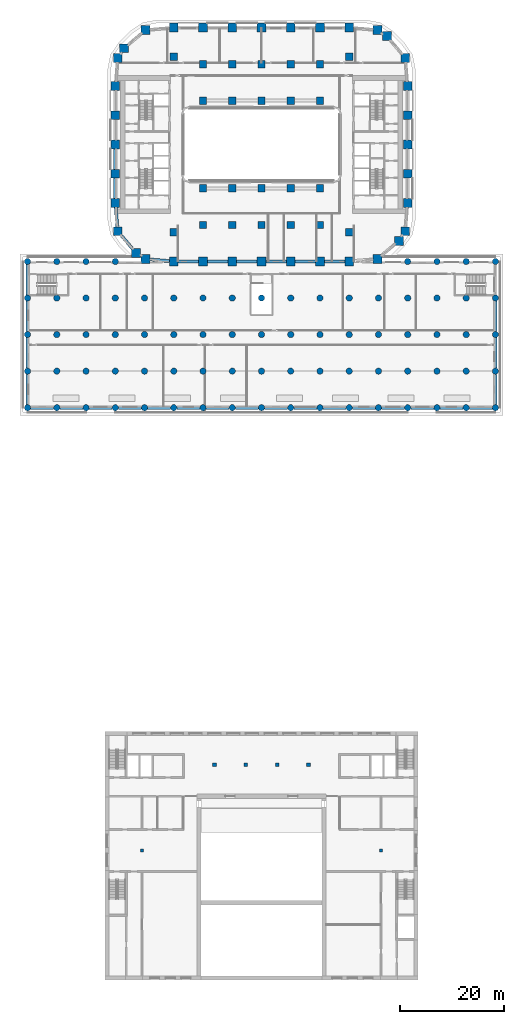
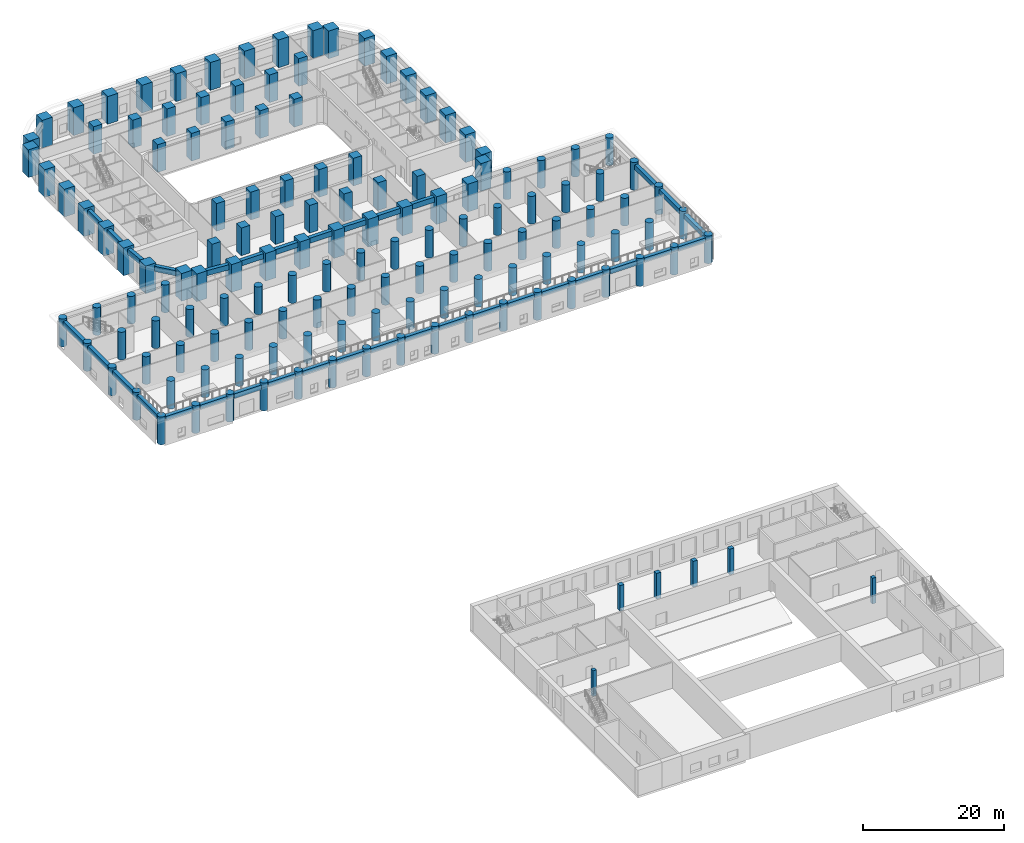
# One storey, part 1 of 24: 142 columns, 34 beams.
"""IFC4 building model written with IfcOpenShell, lengths in metres."""

from ifc_helpers import new_model, si_unit, direction, frame, origin, origin_2d, place, context, subcontext, project, spatial, rectangle, circle, extrude, material, material_profile, profile_set, type_object, element, save


model = new_model("IFC4")

# Units and contexts
model_context = context("Model", 3, precision=1e-05, world=origin(), true_north=direction((0.0, 1.0)))
body_context = subcontext(model_context, "Body", "Model", "MODEL_VIEW")
ifc_project = project(units=[si_unit("LENGTHUNIT", "METRE"), si_unit("AREAUNIT", "SQUARE_METRE"), si_unit("VOLUMEUNIT", "CUBIC_METRE"), si_unit("PLANEANGLEUNIT", "RADIAN"), si_unit("MASSUNIT", "GRAM", prefix="KILO")], contexts=[model_context])

# Site, building, storey
site_placement = place(None, origin())
site = spatial("IfcSite", under=ifc_project, at=site_placement, CompositionType="ELEMENT")
building_placement = place(site_placement, origin())
building = spatial("IfcBuilding", under=site, at=building_placement, Name="Kiln Ring Residences", CompositionType="ELEMENT")
storey_placement = place(building_placement, frame((0.0, 0.0, 11.300048828125)))
storey = spatial("IfcBuildingStorey", under=building, at=storey_placement, Name="L02", CompositionType="ELEMENT", Elevation=11.300048828125)

# Columns
ifc_material_1 = material(Name="Concrete C80/95", Category="concrete")
ifc_material_profile_1 = material_profile(ifc_material_1, rectangle(XDim=1.39990234375, YDim=1.39990234375, at=origin_2d()), Name="RC1400x1400")
ifc_profile_set_1 = profile_set([ifc_material_profile_1], Name="Concrete C80/95")
column_type_1 = type_object("IfcColumnType", Name="Corridor column RC1400x1400 C80/95", PredefinedType="COLUMN", material=ifc_profile_set_1)
for number, where, z_axis, x_axis, name in (
    (1, (-11.199951171875, 15.39990234375, 0.0), (0.0, 0.0, 1.0), (1.0, 0.0, 0.0), "Corridor column L02 1"),
    (2, (-5.60009765625, 15.39990234375, 0.0), (0.0, 0.0, 1.0), (1.0, 0.0, 0.0), "Corridor column L02 2"),
    (3, (0.0, 15.39990234375, 0.0), (0.0, 0.0, 1.0), (1.0, 0.0, 0.0), "Corridor column L02 3"),
    (4, (5.60009765625, 15.39990234375, 0.0), (0.0, 0.0, 1.0), (1.0, 0.0, 0.0), "Corridor column L02 4"),
    (5, (11.199951171875, 15.39990234375, 0.0), (0.0, 0.0, 1.0), (1.0, 0.0, 0.0), "Corridor column L02 5"),
    (6, (-11.199951171875, -15.39990234375, 0.0), (0.0, 0.0, 1.0), (1.0, 0.0, 0.0), "Corridor column L02 6"),
    (7, (-5.60009765625, -15.39990234375, 0.0), (0.0, 0.0, 1.0), (1.0, 0.0, 0.0), "Corridor column L02 7"),
    (8, (0.0, -15.39990234375, 0.0), (0.0, 0.0, 1.0), (1.0, 0.0, 0.0), "Corridor column L02 8"),
    (9, (5.60009765625, -15.39990234375, 0.0), (0.0, 0.0, 1.0), (1.0, 0.0, 0.0), "Corridor column L02 9"),
    (10, (11.199951171875, -15.39990234375, 0.0), (0.0, 0.0, 1.0), (1.0, 0.0, 0.0), "Corridor column L02 10"),
):
    element("IfcColumn", number, at=place(storey_placement, frame(where, z_axis=z_axis, x_axis=x_axis)), inside=storey, type_object=column_type_1, Name=name, PredefinedType="COLUMN", context=body_context, shape_type="SweptSolid", body=[
        extrude(rectangle(XDim=1.39990234375, YDim=1.39990234375, at=origin_2d()), origin(), (0.0, 0.0, 1.0), 4.800048828125),
    ])
ifc_material_2 = material(Name="Concrete C40/50", Category="concrete")
ifc_material_profile_2 = material_profile(ifc_material_2, rectangle(XDim=0.60009765625, YDim=0.60009765625, at=origin_2d()), Name="Hall reinforced concrete column 600 x 600")
ifc_profile_set_2 = profile_set([ifc_material_profile_2], Name="Concrete C40/50")
column_type_2 = type_object("IfcColumnType", Name="Hall reinforced concrete column 600 x 600", PredefinedType="COLUMN", material=ifc_profile_set_2)
for number, where, z_axis, x_axis, name in (
    (11, (-22.89990234375, -135.199951171875, 0.0), (0.0, 0.0, 1.0), (1.0, 0.0, 0.0), "Hall column L02 5"),
    (12, (22.89990234375, -135.199951171875, 0.0), (0.0, 0.0, 1.0), (1.0, 0.0, 0.0), "Hall column L02 6"),
):
    element("IfcColumn", number, at=place(storey_placement, frame(where, z_axis=z_axis, x_axis=x_axis)), inside=storey, type_object=column_type_2, Name=name, PredefinedType="COLUMN", context=body_context, shape_type="SweptSolid", body=[
        extrude(rectangle(XDim=0.60009765625, YDim=0.60009765625, at=origin_2d()), origin(), (0.0, 0.0, 1.0), 4.449951171875),
    ])
ifc_material_3 = material(Name="Concrete C40/50", Category="concrete")
ifc_material_profile_3 = material_profile(ifc_material_3, rectangle(XDim=0.699951171875, YDim=0.699951171875, at=origin_2d()), Name="Hall reinforced concrete column 700 x 700")
ifc_profile_set_3 = profile_set([ifc_material_profile_3], Name="Concrete C40/50")
column_type_3 = type_object("IfcColumnType", Name="Hall reinforced concrete column 700 x 700", PredefinedType="COLUMN", material=ifc_profile_set_3)
for number, where, z_axis, x_axis, name in (
    (13, (-9.0, -118.800048828125, 0.0), (0.0, 0.0, 1.0), (1.0, 0.0, 0.0), "Hall column L02 1"),
    (14, (-3.0, -118.800048828125, 0.0), (0.0, 0.0, 1.0), (1.0, 0.0, 0.0), "Hall column L02 2"),
    (15, (3.0, -118.800048828125, 0.0), (0.0, 0.0, 1.0), (1.0, 0.0, 0.0), "Hall column L02 3"),
    (16, (9.0, -118.800048828125, 0.0), (0.0, 0.0, 1.0), (1.0, 0.0, 0.0), "Hall column L02 4"),
):
    element("IfcColumn", number, at=place(storey_placement, frame(where, z_axis=z_axis, x_axis=x_axis)), inside=storey, type_object=column_type_3, Name=name, PredefinedType="COLUMN", context=body_context, shape_type="SweptSolid", body=[
        extrude(rectangle(XDim=0.699951171875, YDim=0.699951171875, at=origin_2d()), origin(), (0.0, 0.0, 1.0), 4.449951171875),
    ])
ifc_material_4 = material(Name="Concrete C80/95", Category="concrete")
ifc_material_profile_4 = material_profile(ifc_material_4, rectangle(XDim=1.699951171875, YDim=1.699951171875, at=origin_2d()), Name="RC1700x1700")
ifc_profile_set_4 = profile_set([ifc_material_profile_4], Name="Concrete C80/95")
column_type_4 = type_object("IfcColumnType", Name="Perimeter column RC1700x1700 C80/95", PredefinedType="COLUMN", material=ifc_profile_set_4)
for number, where, z_axis, x_axis, name in (
    (17, (-22.208740234375, -21.93798828125, 0.0), (0.0, 0.0, 1.0), (1.0, 0.0, 0.0), "Perimeter column L02 1"),
    (18, (-16.800048828125, -22.39990234375, 0.0), (0.0, 0.0, 1.0), (1.0, 0.0, 0.0), "Perimeter column L02 2"),
    (19, (-11.199951171875, -22.39990234375, 0.0), (0.0, 0.0, 1.0), (1.0, 0.0, 0.0), "Perimeter column L02 3"),
    (20, (-5.60009765625, -22.39990234375, 0.0), (0.0, 0.0, 1.0), (1.0, 0.0, 0.0), "Perimeter column L02 4"),
    (21, (0.0, -22.39990234375, 0.0), (0.0, 0.0, 1.0), (1.0, 0.0, 0.0), "Perimeter column L02 5"),
    (22, (5.60009765625, -22.39990234375, 0.0), (0.0, 0.0, 1.0), (1.0, 0.0, 0.0), "Perimeter column L02 6"),
    (23, (11.199951171875, -22.39990234375, 0.0), (0.0, 0.0, 1.0), (1.0, 0.0, 0.0), "Perimeter column L02 7"),
    (24, (16.800048828125, -22.39990234375, 0.0), (0.0, 0.0, 1.0), (1.0, 0.0, 0.0), "Perimeter column L02 8"),
    (25, (22.208740234375, -21.93798828125, 0.0), (0.0, 0.0, 1.0), (1.0, 0.0, 0.0), "Perimeter column L02 9"),
    (26, (26.35986328125, -18.440185546875, 0.0), (0.0, 0.0, 1.0), (1.0, 0.0, 0.0), "Perimeter column L02 10"),
    (27, (27.5380859375, -16.608642578125, 0.0), (0.0, 0.0, 1.0), (1.0, 0.0, 0.0), "Perimeter column L02 11"),
    (28, (28.0, -11.199951171875, 0.0), (0.0, 0.0, 1.0), (1.0, 0.0, 0.0), "Perimeter column L02 12"),
    (29, (28.0, -5.60009765625, 0.0), (0.0, 0.0, 1.0), (1.0, 0.0, 0.0), "Perimeter column L02 13"),
    (30, (28.0, 0.0, 0.0), (0.0, 0.0, 1.0), (1.0, 0.0, 0.0), "Perimeter column L02 14"),
    (31, (28.0, 5.60009765625, 0.0), (0.0, 0.0, 1.0), (1.0, 0.0, 0.0), "Perimeter column L02 15"),
    (32, (28.0, 11.199951171875, 0.0), (0.0, 0.0, 1.0), (1.0, 0.0, 0.0), "Perimeter column L02 16"),
    (33, (27.5380859375, 16.608642578125, 0.0), (0.0, 0.0, 1.0), (1.0, 0.0, 0.0), "Perimeter column L02 17"),
    (34, (24.040283203125, 20.759765625, 0.0), (0.0, 0.0, 1.0), (1.0, 0.0, 0.0), "Perimeter column L02 18"),
    (35, (22.208740234375, 21.93798828125, 0.0), (0.0, 0.0, 1.0), (1.0, 0.0, 0.0), "Perimeter column L02 19"),
    (36, (16.800048828125, 22.39990234375, 0.0), (0.0, 0.0, 1.0), (1.0, 0.0, 0.0), "Perimeter column L02 20"),
    (37, (11.199951171875, 22.39990234375, 0.0), (0.0, 0.0, 1.0), (1.0, 0.0, 0.0), "Perimeter column L02 21"),
    (38, (5.60009765625, 22.39990234375, 0.0), (0.0, 0.0, 1.0), (1.0, 0.0, 0.0), "Perimeter column L02 22"),
    (39, (0.0, 22.39990234375, 0.0), (0.0, 0.0, 1.0), (1.0, 0.0, 0.0), "Perimeter column L02 23"),
    (40, (-5.60009765625, 22.39990234375, 0.0), (0.0, 0.0, 1.0), (1.0, 0.0, 0.0), "Perimeter column L02 24"),
    (41, (-11.199951171875, 22.39990234375, 0.0), (0.0, 0.0, 1.0), (1.0, 0.0, 0.0), "Perimeter column L02 25"),
    (42, (-16.800048828125, 22.39990234375, 0.0), (0.0, 0.0, 1.0), (1.0, 0.0, 0.0), "Perimeter column L02 26"),
    (43, (-22.208740234375, 21.93798828125, 0.0), (0.0, 0.0, 1.0), (1.0, 0.0, 0.0), "Perimeter column L02 27"),
    (44, (-26.35986328125, 18.440185546875, 0.0), (0.0, 0.0, 1.0), (1.0, 0.0, 0.0), "Perimeter column L02 28"),
    (45, (-27.5380859375, 16.608642578125, 0.0), (0.0, 0.0, 1.0), (1.0, 0.0, 0.0), "Perimeter column L02 29"),
    (46, (-28.0, 11.199951171875, 0.0), (0.0, 0.0, 1.0), (1.0, 0.0, 0.0), "Perimeter column L02 30"),
    (47, (-28.0, 5.60009765625, 0.0), (0.0, 0.0, 1.0), (1.0, 0.0, 0.0), "Perimeter column L02 31"),
    (48, (-28.0, 0.0, 0.0), (0.0, 0.0, 1.0), (1.0, 0.0, 0.0), "Perimeter column L02 32"),
    (49, (-28.0, -5.60009765625, 0.0), (0.0, 0.0, 1.0), (1.0, 0.0, 0.0), "Perimeter column L02 33"),
    (50, (-28.0, -11.199951171875, 0.0), (0.0, 0.0, 1.0), (1.0, 0.0, 0.0), "Perimeter column L02 34"),
    (51, (-27.5380859375, -16.608642578125, 0.0), (0.0, 0.0, 1.0), (1.0, 0.0, 0.0), "Perimeter column L02 35"),
    (52, (-24.040283203125, -20.759765625, 0.0), (0.0, 0.0, 1.0), (1.0, 0.0, 0.0), "Perimeter column L02 36"),
):
    element("IfcColumn", number, at=place(storey_placement, frame(where, z_axis=z_axis, x_axis=x_axis)), inside=storey, type_object=column_type_4, Name=name, PredefinedType="COLUMN", context=body_context, shape_type="SweptSolid", body=[
        extrude(rectangle(XDim=1.699951171875, YDim=1.699951171875, at=origin_2d()), origin(), (0.0, 0.0, 1.0), 4.800048828125),
    ])
ifc_material_5 = material(Name="Concrete C80/95", Category="concrete")
ifc_material_profile_5 = material_profile(ifc_material_5, circle(Radius=0.60009765625, at=origin_2d()), Name="RCD1200")
ifc_profile_set_5 = profile_set([ifc_material_profile_5], Name="Concrete C80/95")
column_type_5 = type_object("IfcColumnType", Name="Podium column RCD1200 C80/95", PredefinedType="COLUMN", material=ifc_profile_set_5)
for number, where, z_axis, x_axis, name in (
    (53, (-44.800048828125, -29.39990234375, 0.0), (0.0, 0.0, 1.0), (1.0, 0.0, 0.0), "Podium column L02 1"),
    (54, (-39.199951171875, -29.39990234375, 0.0), (0.0, 0.0, 1.0), (1.0, 0.0, 0.0), "Podium column L02 2"),
    (55, (-33.60009765625, -29.39990234375, 0.0), (0.0, 0.0, 1.0), (1.0, 0.0, 0.0), "Podium column L02 3"),
    (56, (-28.0, -29.39990234375, 0.0), (0.0, 0.0, 1.0), (1.0, 0.0, 0.0), "Podium column L02 4"),
    (57, (-22.39990234375, -29.39990234375, 0.0), (0.0, 0.0, 1.0), (1.0, 0.0, 0.0), "Podium column L02 5"),
    (58, (-16.800048828125, -29.39990234375, 0.0), (0.0, 0.0, 1.0), (1.0, 0.0, 0.0), "Podium column L02 6"),
    (59, (-11.199951171875, -29.39990234375, 0.0), (0.0, 0.0, 1.0), (1.0, 0.0, 0.0), "Podium column L02 7"),
    (60, (-5.60009765625, -29.39990234375, 0.0), (0.0, 0.0, 1.0), (1.0, 0.0, 0.0), "Podium column L02 8"),
    (61, (0.0, -29.39990234375, 0.0), (0.0, 0.0, 1.0), (1.0, 0.0, 0.0), "Podium column L02 9"),
    (62, (5.60009765625, -29.39990234375, 0.0), (0.0, 0.0, 1.0), (1.0, 0.0, 0.0), "Podium column L02 10"),
    (63, (11.199951171875, -29.39990234375, 0.0), (0.0, 0.0, 1.0), (1.0, 0.0, 0.0), "Podium column L02 11"),
    (64, (16.800048828125, -29.39990234375, 0.0), (0.0, 0.0, 1.0), (1.0, 0.0, 0.0), "Podium column L02 12"),
    (65, (22.39990234375, -29.39990234375, 0.0), (0.0, 0.0, 1.0), (1.0, 0.0, 0.0), "Podium column L02 13"),
    (66, (28.0, -29.39990234375, 0.0), (0.0, 0.0, 1.0), (1.0, 0.0, 0.0), "Podium column L02 14"),
    (67, (33.60009765625, -29.39990234375, 0.0), (0.0, 0.0, 1.0), (1.0, 0.0, 0.0), "Podium column L02 15"),
    (68, (39.199951171875, -29.39990234375, 0.0), (0.0, 0.0, 1.0), (1.0, 0.0, 0.0), "Podium column L02 16"),
    (69, (44.800048828125, -29.39990234375, 0.0), (0.0, 0.0, 1.0), (1.0, 0.0, 0.0), "Podium column L02 17"),
    (70, (-44.800048828125, -36.39990234375, 0.0), (0.0, 0.0, 1.0), (1.0, 0.0, 0.0), "Podium column L02 18"),
    (71, (-39.199951171875, -36.39990234375, 0.0), (0.0, 0.0, 1.0), (1.0, 0.0, 0.0), "Podium column L02 19"),
    (72, (-33.60009765625, -36.39990234375, 0.0), (0.0, 0.0, 1.0), (1.0, 0.0, 0.0), "Podium column L02 20"),
    (73, (-28.0, -36.39990234375, 0.0), (0.0, 0.0, 1.0), (1.0, 0.0, 0.0), "Podium column L02 21"),
    (74, (-22.39990234375, -36.39990234375, 0.0), (0.0, 0.0, 1.0), (1.0, 0.0, 0.0), "Podium column L02 22"),
    (75, (-16.800048828125, -36.39990234375, 0.0), (0.0, 0.0, 1.0), (1.0, 0.0, 0.0), "Podium column L02 23"),
    (76, (-11.199951171875, -36.39990234375, 0.0), (0.0, 0.0, 1.0), (1.0, 0.0, 0.0), "Podium column L02 24"),
    (77, (-5.60009765625, -36.39990234375, 0.0), (0.0, 0.0, 1.0), (1.0, 0.0, 0.0), "Podium column L02 25"),
    (78, (0.0, -36.39990234375, 0.0), (0.0, 0.0, 1.0), (1.0, 0.0, 0.0), "Podium column L02 26"),
    (79, (5.60009765625, -36.39990234375, 0.0), (0.0, 0.0, 1.0), (1.0, 0.0, 0.0), "Podium column L02 27"),
    (80, (11.199951171875, -36.39990234375, 0.0), (0.0, 0.0, 1.0), (1.0, 0.0, 0.0), "Podium column L02 28"),
    (81, (16.800048828125, -36.39990234375, 0.0), (0.0, 0.0, 1.0), (1.0, 0.0, 0.0), "Podium column L02 29"),
    (82, (22.39990234375, -36.39990234375, 0.0), (0.0, 0.0, 1.0), (1.0, 0.0, 0.0), "Podium column L02 30"),
    (83, (28.0, -36.39990234375, 0.0), (0.0, 0.0, 1.0), (1.0, 0.0, 0.0), "Podium column L02 31"),
    (84, (33.60009765625, -36.39990234375, 0.0), (0.0, 0.0, 1.0), (1.0, 0.0, 0.0), "Podium column L02 32"),
    (85, (39.199951171875, -36.39990234375, 0.0), (0.0, 0.0, 1.0), (1.0, 0.0, 0.0), "Podium column L02 33"),
    (86, (44.800048828125, -36.39990234375, 0.0), (0.0, 0.0, 1.0), (1.0, 0.0, 0.0), "Podium column L02 34"),
    (87, (-44.800048828125, -43.39990234375, 0.0), (0.0, 0.0, 1.0), (1.0, 0.0, 0.0), "Podium column L02 35"),
    (88, (-39.199951171875, -43.39990234375, 0.0), (0.0, 0.0, 1.0), (1.0, 0.0, 0.0), "Podium column L02 36"),
    (89, (-33.60009765625, -43.39990234375, 0.0), (0.0, 0.0, 1.0), (1.0, 0.0, 0.0), "Podium column L02 37"),
    (90, (-28.0, -43.39990234375, 0.0), (0.0, 0.0, 1.0), (1.0, 0.0, 0.0), "Podium column L02 38"),
    (91, (-22.39990234375, -43.39990234375, 0.0), (0.0, 0.0, 1.0), (1.0, 0.0, 0.0), "Podium column L02 39"),
    (92, (-16.800048828125, -43.39990234375, 0.0), (0.0, 0.0, 1.0), (1.0, 0.0, 0.0), "Podium column L02 40"),
    (93, (-11.199951171875, -43.39990234375, 0.0), (0.0, 0.0, 1.0), (1.0, 0.0, 0.0), "Podium column L02 41"),
    (94, (-5.60009765625, -43.39990234375, 0.0), (0.0, 0.0, 1.0), (1.0, 0.0, 0.0), "Podium column L02 42"),
    (95, (0.0, -43.39990234375, 0.0), (0.0, 0.0, 1.0), (1.0, 0.0, 0.0), "Podium column L02 43"),
    (96, (5.60009765625, -43.39990234375, 0.0), (0.0, 0.0, 1.0), (1.0, 0.0, 0.0), "Podium column L02 44"),
    (97, (11.199951171875, -43.39990234375, 0.0), (0.0, 0.0, 1.0), (1.0, 0.0, 0.0), "Podium column L02 45"),
    (98, (16.800048828125, -43.39990234375, 0.0), (0.0, 0.0, 1.0), (1.0, 0.0, 0.0), "Podium column L02 46"),
    (99, (22.39990234375, -43.39990234375, 0.0), (0.0, 0.0, 1.0), (1.0, 0.0, 0.0), "Podium column L02 47"),
    (100, (28.0, -43.39990234375, 0.0), (0.0, 0.0, 1.0), (1.0, 0.0, 0.0), "Podium column L02 48"),
    (101, (33.60009765625, -43.39990234375, 0.0), (0.0, 0.0, 1.0), (1.0, 0.0, 0.0), "Podium column L02 49"),
    (102, (39.199951171875, -43.39990234375, 0.0), (0.0, 0.0, 1.0), (1.0, 0.0, 0.0), "Podium column L02 50"),
    (103, (44.800048828125, -43.39990234375, 0.0), (0.0, 0.0, 1.0), (1.0, 0.0, 0.0), "Podium column L02 51"),
    (104, (-44.800048828125, -50.39990234375, 0.0), (0.0, 0.0, 1.0), (1.0, 0.0, 0.0), "Podium column L02 52"),
    (105, (-39.199951171875, -50.39990234375, 0.0), (0.0, 0.0, 1.0), (1.0, 0.0, 0.0), "Podium column L02 53"),
    (106, (-33.60009765625, -50.39990234375, 0.0), (0.0, 0.0, 1.0), (1.0, 0.0, 0.0), "Podium column L02 54"),
    (107, (-28.0, -50.39990234375, 0.0), (0.0, 0.0, 1.0), (1.0, 0.0, 0.0), "Podium column L02 55"),
    (108, (-22.39990234375, -50.39990234375, 0.0), (0.0, 0.0, 1.0), (1.0, 0.0, 0.0), "Podium column L02 56"),
    (109, (-16.800048828125, -50.39990234375, 0.0), (0.0, 0.0, 1.0), (1.0, 0.0, 0.0), "Podium column L02 57"),
    (110, (-11.199951171875, -50.39990234375, 0.0), (0.0, 0.0, 1.0), (1.0, 0.0, 0.0), "Podium column L02 58"),
    (111, (-5.60009765625, -50.39990234375, 0.0), (0.0, 0.0, 1.0), (1.0, 0.0, 0.0), "Podium column L02 59"),
    (112, (0.0, -50.39990234375, 0.0), (0.0, 0.0, 1.0), (1.0, 0.0, 0.0), "Podium column L02 60"),
    (113, (5.60009765625, -50.39990234375, 0.0), (0.0, 0.0, 1.0), (1.0, 0.0, 0.0), "Podium column L02 61"),
    (114, (11.199951171875, -50.39990234375, 0.0), (0.0, 0.0, 1.0), (1.0, 0.0, 0.0), "Podium column L02 62"),
    (115, (16.800048828125, -50.39990234375, 0.0), (0.0, 0.0, 1.0), (1.0, 0.0, 0.0), "Podium column L02 63"),
    (116, (22.39990234375, -50.39990234375, 0.0), (0.0, 0.0, 1.0), (1.0, 0.0, 0.0), "Podium column L02 64"),
    (117, (28.0, -50.39990234375, 0.0), (0.0, 0.0, 1.0), (1.0, 0.0, 0.0), "Podium column L02 65"),
    (118, (33.60009765625, -50.39990234375, 0.0), (0.0, 0.0, 1.0), (1.0, 0.0, 0.0), "Podium column L02 66"),
    (119, (39.199951171875, -50.39990234375, 0.0), (0.0, 0.0, 1.0), (1.0, 0.0, 0.0), "Podium column L02 67"),
    (120, (44.800048828125, -50.39990234375, 0.0), (0.0, 0.0, 1.0), (1.0, 0.0, 0.0), "Podium column L02 68"),
    (121, (-44.800048828125, -22.39990234375, 0.0), (0.0, 0.0, 1.0), (1.0, 0.0, 0.0), "Podium column L02 69"),
    (122, (-39.199951171875, -22.39990234375, 0.0), (0.0, 0.0, 1.0), (1.0, 0.0, 0.0), "Podium column L02 70"),
    (123, (-33.60009765625, -22.39990234375, 0.0), (0.0, 0.0, 1.0), (1.0, 0.0, 0.0), "Podium column L02 71"),
    (124, (-28.0, -22.39990234375, 0.0), (0.0, 0.0, 1.0), (1.0, 0.0, 0.0), "Podium column L02 72"),
    (125, (28.0, -22.39990234375, 0.0), (0.0, 0.0, 1.0), (1.0, 0.0, 0.0), "Podium column L02 73"),
    (126, (33.60009765625, -22.39990234375, 0.0), (0.0, 0.0, 1.0), (1.0, 0.0, 0.0), "Podium column L02 74"),
    (127, (39.199951171875, -22.39990234375, 0.0), (0.0, 0.0, 1.0), (1.0, 0.0, 0.0), "Podium column L02 75"),
    (128, (44.800048828125, -22.39990234375, 0.0), (0.0, 0.0, 1.0), (1.0, 0.0, 0.0), "Podium column L02 76"),
):
    element("IfcColumn", number, at=place(storey_placement, frame(where, z_axis=z_axis, x_axis=x_axis)), inside=storey, type_object=column_type_5, Name=name, PredefinedType="COLUMN", context=body_context, shape_type="SweptSolid", body=[
        extrude(circle(Radius=0.60009765625, at=origin_2d()), origin(), (0.0, 0.0, 1.0), 4.800048828125),
    ])
ifc_material_6 = material(Name="Concrete C80/95", Category="concrete")
ifc_material_profile_6 = material_profile(ifc_material_6, rectangle(XDim=1.39990234375, YDim=1.39990234375, at=origin_2d()), Name="RC1400x1400")
ifc_profile_set_6 = profile_set([ifc_material_profile_6], Name="Concrete C80/95")
column_type_6 = type_object("IfcColumnType", Name="Ring column RC1400x1400 C80/95", PredefinedType="COLUMN", material=ifc_profile_set_6)
for number, where, z_axis, x_axis, name in (
    (129, (-16.800048828125, -16.800048828125, 0.0), (0.0, 0.0, 1.0), (1.0, 0.0, 0.0), "Ring column L02 1"),
    (130, (-16.800048828125, 16.800048828125, 0.0), (0.0, 0.0, 1.0), (1.0, 0.0, 0.0), "Ring column L02 2"),
    (131, (-11.199951171875, -8.39990234375, 0.0), (0.0, 0.0, 1.0), (1.0, 0.0, 0.0), "Ring column L02 3"),
    (132, (-11.199951171875, 8.39990234375, 0.0), (0.0, 0.0, 1.0), (1.0, 0.0, 0.0), "Ring column L02 4"),
    (133, (-5.60009765625, -8.39990234375, 0.0), (0.0, 0.0, 1.0), (1.0, 0.0, 0.0), "Ring column L02 5"),
    (134, (-5.60009765625, 8.39990234375, 0.0), (0.0, 0.0, 1.0), (1.0, 0.0, 0.0), "Ring column L02 6"),
    (135, (0.0, -8.39990234375, 0.0), (0.0, 0.0, 1.0), (1.0, 0.0, 0.0), "Ring column L02 7"),
    (136, (0.0, 8.39990234375, 0.0), (0.0, 0.0, 1.0), (1.0, 0.0, 0.0), "Ring column L02 8"),
    (137, (5.60009765625, -8.39990234375, 0.0), (0.0, 0.0, 1.0), (1.0, 0.0, 0.0), "Ring column L02 9"),
    (138, (5.60009765625, 8.39990234375, 0.0), (0.0, 0.0, 1.0), (1.0, 0.0, 0.0), "Ring column L02 10"),
    (139, (11.199951171875, -8.39990234375, 0.0), (0.0, 0.0, 1.0), (1.0, 0.0, 0.0), "Ring column L02 11"),
    (140, (11.199951171875, 8.39990234375, 0.0), (0.0, 0.0, 1.0), (1.0, 0.0, 0.0), "Ring column L02 12"),
    (141, (16.800048828125, -16.800048828125, 0.0), (0.0, 0.0, 1.0), (1.0, 0.0, 0.0), "Ring column L02 13"),
    (142, (16.800048828125, 16.800048828125, 0.0), (0.0, 0.0, 1.0), (1.0, 0.0, 0.0), "Ring column L02 14"),
):
    element("IfcColumn", number, at=place(storey_placement, frame(where, z_axis=z_axis, x_axis=x_axis)), inside=storey, type_object=column_type_6, Name=name, PredefinedType="COLUMN", context=body_context, shape_type="SweptSolid", body=[
        extrude(rectangle(XDim=1.39990234375, YDim=1.39990234375, at=origin_2d()), origin(), (0.0, 0.0, 1.0), 4.800048828125),
    ])

# Beams
ifc_material_7 = material(Name="Concrete C50/60", Category="concrete")
ifc_material_profile_7 = material_profile(ifc_material_7, rectangle(XDim=0.60009765625, YDim=0.800048828125, at=origin_2d()), Name="RC600x800")
ifc_profile_set_7 = profile_set([ifc_material_profile_7], Name="Concrete C50/60")
beam_type_1 = type_object("IfcBeamType", Name="Ring beam RC600x800 C50/60", PredefinedType="BEAM", material=ifc_profile_set_7)
beam_1_placement = place(storey_placement, frame((-44.199951171875, -50.39990234375, 4.050048828125), z_axis=(1.0, 0.0, 0.0), x_axis=(0.0, 1.0, 0.0)))
element("IfcBeam", 143, at=beam_1_placement, inside=storey, type_object=beam_type_1, Name="Ring beam L02 1", PredefinedType="BEAM", context=body_context, shape_type="SweptSolid", body=[
    extrude(rectangle(XDim=0.60009765625, YDim=0.800048828125, at=origin_2d()), origin(), (0.0, 0.0, 1.0), 4.39990234375),
])
beam_2_placement = place(storey_placement, frame((-38.60009765625, -50.39990234375, 4.050048828125), z_axis=(1.0, 0.0, 0.0), x_axis=(0.0, 1.0, 0.0)))
element("IfcBeam", 144, at=beam_2_placement, inside=storey, type_object=beam_type_1, Name="Ring beam L02 2", PredefinedType="BEAM", context=body_context, shape_type="SweptSolid", body=[
    extrude(rectangle(XDim=0.60009765625, YDim=0.800048828125, at=origin_2d()), origin(), (0.0, 0.0, 1.0), 4.400146484375),
])
for number, where, z_axis, x_axis, name in (
    (145, (-33.0, -50.39990234375, 4.050048828125), (1.0, 0.0, 0.0), (0.0, 1.0, 0.0), "Ring beam L02 3"),
    (146, (-27.39990234375, -50.39990234375, 4.050048828125), (1.0, 0.0, 0.0), (0.0, 1.0, 0.0), "Ring beam L02 4"),
):
    element("IfcBeam", number, at=place(storey_placement, frame(where, z_axis=z_axis, x_axis=x_axis)), inside=storey, type_object=beam_type_1, Name=name, PredefinedType="BEAM", context=body_context, shape_type="SweptSolid", body=[
        extrude(rectangle(XDim=0.60009765625, YDim=0.800048828125, at=origin_2d()), origin(), (0.0, 0.0, 1.0), 4.39990234375),
    ])
beam_3_placement = place(storey_placement, frame((-21.800048828125, -50.39990234375, 4.050048828125), z_axis=(1.0, 0.0, 0.0), x_axis=(0.0, 1.0, 0.0)))
element("IfcBeam", 147, at=beam_3_placement, inside=storey, type_object=beam_type_1, Name="Ring beam L02 5", PredefinedType="BEAM", context=body_context, shape_type="SweptSolid", body=[
    extrude(rectangle(XDim=0.60009765625, YDim=0.800048828125, at=origin_2d()), origin(), (0.0, 0.0, 1.0), 4.400146484375),
])
beam_4_placement = place(storey_placement, frame((-16.199951171875, -50.39990234375, 4.050048828125), z_axis=(1.0, 0.0, 0.0), x_axis=(0.0, 1.0, 0.0)))
element("IfcBeam", 148, at=beam_4_placement, inside=storey, type_object=beam_type_1, Name="Ring beam L02 6", PredefinedType="BEAM", context=body_context, shape_type="SweptSolid", body=[
    extrude(rectangle(XDim=0.60009765625, YDim=0.800048828125, at=origin_2d()), origin(), (0.0, 0.0, 1.0), 4.39990234375),
])
beam_5_placement = place(storey_placement, frame((-10.60009765625, -50.39990234375, 4.050048828125), z_axis=(1.0, 0.0, 0.0), x_axis=(0.0, 1.0, 0.0)))
element("IfcBeam", 149, at=beam_5_placement, inside=storey, type_object=beam_type_1, Name="Ring beam L02 7", PredefinedType="BEAM", context=body_context, shape_type="SweptSolid", body=[
    extrude(rectangle(XDim=0.60009765625, YDim=0.800048828125, at=origin_2d()), origin(), (0.0, 0.0, 1.0), 4.400146484375),
])
for number, where, z_axis, x_axis, name in (
    (150, (-5.0, -50.39990234375, 4.050048828125), (1.0, 0.0, 0.0), (0.0, 1.0, 0.0), "Ring beam L02 8"),
    (151, (0.60009765625, -50.39990234375, 4.050048828125), (1.0, 0.0, 0.0), (0.0, 1.0, 0.0), "Ring beam L02 9"),
):
    element("IfcBeam", number, at=place(storey_placement, frame(where, z_axis=z_axis, x_axis=x_axis)), inside=storey, type_object=beam_type_1, Name=name, PredefinedType="BEAM", context=body_context, shape_type="SweptSolid", body=[
        extrude(rectangle(XDim=0.60009765625, YDim=0.800048828125, at=origin_2d()), origin(), (0.0, 0.0, 1.0), 4.39990234375),
    ])
beam_6_placement = place(storey_placement, frame((6.199951171875, -50.39990234375, 4.050048828125), z_axis=(1.0, 0.0, 0.0), x_axis=(0.0, 1.0, 0.0)))
element("IfcBeam", 152, at=beam_6_placement, inside=storey, type_object=beam_type_1, Name="Ring beam L02 10", PredefinedType="BEAM", context=body_context, shape_type="SweptSolid", body=[
    extrude(rectangle(XDim=0.60009765625, YDim=0.800048828125, at=origin_2d()), origin(), (0.0, 0.0, 1.0), 4.400146484375),
])
beam_7_placement = place(storey_placement, frame((11.800048828125, -50.39990234375, 4.050048828125), z_axis=(1.0, 0.0, 0.0), x_axis=(0.0, 1.0, 0.0)))
element("IfcBeam", 153, at=beam_7_placement, inside=storey, type_object=beam_type_1, Name="Ring beam L02 11", PredefinedType="BEAM", context=body_context, shape_type="SweptSolid", body=[
    extrude(rectangle(XDim=0.60009765625, YDim=0.800048828125, at=origin_2d()), origin(), (0.0, 0.0, 1.0), 4.39990234375),
])
beam_8_placement = place(storey_placement, frame((17.39990234375, -50.39990234375, 4.050048828125), z_axis=(1.0, 0.0, 0.0), x_axis=(0.0, 1.0, 0.0)))
element("IfcBeam", 154, at=beam_8_placement, inside=storey, type_object=beam_type_1, Name="Ring beam L02 12", PredefinedType="BEAM", context=body_context, shape_type="SweptSolid", body=[
    extrude(rectangle(XDim=0.60009765625, YDim=0.800048828125, at=origin_2d()), origin(), (0.0, 0.0, 1.0), 4.400146484375),
])
for number, where, z_axis, x_axis, name in (
    (155, (23.0, -50.39990234375, 4.050048828125), (1.0, 0.0, 0.0), (0.0, 1.0, 0.0), "Ring beam L02 13"),
    (156, (28.60009765625, -50.39990234375, 4.050048828125), (1.0, 0.0, 0.0), (0.0, 1.0, 0.0), "Ring beam L02 14"),
):
    element("IfcBeam", number, at=place(storey_placement, frame(where, z_axis=z_axis, x_axis=x_axis)), inside=storey, type_object=beam_type_1, Name=name, PredefinedType="BEAM", context=body_context, shape_type="SweptSolid", body=[
        extrude(rectangle(XDim=0.60009765625, YDim=0.800048828125, at=origin_2d()), origin(), (0.0, 0.0, 1.0), 4.39990234375),
    ])
beam_9_placement = place(storey_placement, frame((34.199951171875, -50.39990234375, 4.050048828125), z_axis=(1.0, 0.0, 0.0), x_axis=(0.0, 1.0, 0.0)))
element("IfcBeam", 157, at=beam_9_placement, inside=storey, type_object=beam_type_1, Name="Ring beam L02 15", PredefinedType="BEAM", context=body_context, shape_type="SweptSolid", body=[
    extrude(rectangle(XDim=0.60009765625, YDim=0.800048828125, at=origin_2d()), origin(), (0.0, 0.0, 1.0), 4.400146484375),
])
beam_10_placement = place(storey_placement, frame((39.800048828125, -50.39990234375, 4.050048828125), z_axis=(1.0, 0.0, 0.0), x_axis=(0.0, 1.0, 0.0)))
element("IfcBeam", 158, at=beam_10_placement, inside=storey, type_object=beam_type_1, Name="Ring beam L02 16", PredefinedType="BEAM", context=body_context, shape_type="SweptSolid", body=[
    extrude(rectangle(XDim=0.60009765625, YDim=0.800048828125, at=origin_2d()), origin(), (0.0, 0.0, 1.0), 4.39990234375),
])
for number, where, z_axis, x_axis, name in (
    (159, (-44.800048828125, -23.0, 4.050048828125), (0.0, -1.0, 0.0), (1.0, 0.0, 0.0), "Ring beam L02 17"),
    (160, (-44.800048828125, -30.0, 4.050048828125), (0.0, -1.0, 0.0), (1.0, 0.0, 0.0), "Ring beam L02 18"),
    (161, (-44.800048828125, -37.0, 4.050048828125), (0.0, -1.0, 0.0), (1.0, 0.0, 0.0), "Ring beam L02 19"),
    (162, (-44.800048828125, -44.0, 4.050048828125), (0.0, -1.0, 0.0), (1.0, 0.0, 0.0), "Ring beam L02 20"),
    (163, (44.800048828125, -30.0, 4.050048828125), (0.0, -1.0, 0.0), (1.0, 0.0, 0.0), "Ring beam L02 22"),
    (164, (44.800048828125, -37.0, 4.050048828125), (0.0, -1.0, 0.0), (1.0, 0.0, 0.0), "Ring beam L02 23"),
    (165, (44.800048828125, -44.0, 4.050048828125), (0.0, -1.0, 0.0), (1.0, 0.0, 0.0), "Ring beam L02 24"),
):
    element("IfcBeam", number, at=place(storey_placement, frame(where, z_axis=z_axis, x_axis=x_axis)), inside=storey, type_object=beam_type_1, Name=name, PredefinedType="BEAM", context=body_context, shape_type="SweptSolid", body=[
        extrude(rectangle(XDim=0.60009765625, YDim=0.800048828125, at=origin_2d()), origin(), (0.0, 0.0, 1.0), 5.800048828125),
    ])
ifc_material_8 = material(Name="Concrete C50/60", Category="concrete")
ifc_material_profile_8 = material_profile(ifc_material_8, rectangle(XDim=0.60009765625, YDim=0.89990234375, at=origin_2d()), Name="RC600x900")
ifc_profile_set_8 = profile_set([ifc_material_profile_8], Name="Concrete C50/60")
beam_type_2 = type_object("IfcBeamType", Name="Spandrel beam RC600x900 C50/60", PredefinedType="SPANDREL", material=ifc_profile_set_8)
beam_11_placement = place(storey_placement, frame((-21.358642578125, -22.0107421875, 4.0), z_axis=(0.996374977292, -0.08506999839, 0.0), x_axis=(0.08506999839, 0.996374977292, 0.0)))
element("IfcBeam", 166, at=beam_11_placement, inside=storey, type_object=beam_type_2, Name="Spandrel beam L02 1", PredefinedType="SPANDREL", context=body_context, shape_type="SweptSolid", body=[
    extrude(rectangle(XDim=0.60009765625, YDim=0.89990234375, at=origin_2d()), origin(), (0.0, 0.0, 1.0), 3.72216796875),
])
beam_12_placement = place(storey_placement, frame((-15.949951171875, -22.39990234375, 4.0), z_axis=(1.0, 0.0, 0.0), x_axis=(0.0, 1.0, 0.0)))
element("IfcBeam", 167, at=beam_12_placement, inside=storey, type_object=beam_type_2, Name="Spandrel beam L02 2", PredefinedType="SPANDREL", context=body_context, shape_type="SweptSolid", body=[
    extrude(rectangle(XDim=0.60009765625, YDim=0.89990234375, at=origin_2d()), origin(), (0.0, 0.0, 1.0), 3.89990234375),
])
beam_13_placement = place(storey_placement, frame((-10.35009765625, -22.39990234375, 4.0), z_axis=(1.0, 0.0, 0.0), x_axis=(0.0, 1.0, 0.0)))
element("IfcBeam", 168, at=beam_13_placement, inside=storey, type_object=beam_type_2, Name="Spandrel beam L02 3", PredefinedType="SPANDREL", context=body_context, shape_type="SweptSolid", body=[
    extrude(rectangle(XDim=0.60009765625, YDim=0.89990234375, at=origin_2d()), origin(), (0.0, 0.0, 1.0), 3.900146484375),
])
for number, where, z_axis, x_axis, name in (
    (169, (-4.75, -22.39990234375, 4.0), (1.0, 0.0, 0.0), (0.0, 1.0, 0.0), "Spandrel beam L02 4"),
    (170, (0.85009765625, -22.39990234375, 4.0), (1.0, 0.0, 0.0), (0.0, 1.0, 0.0), "Spandrel beam L02 5"),
):
    element("IfcBeam", number, at=place(storey_placement, frame(where, z_axis=z_axis, x_axis=x_axis)), inside=storey, type_object=beam_type_2, Name=name, PredefinedType="SPANDREL", context=body_context, shape_type="SweptSolid", body=[
        extrude(rectangle(XDim=0.60009765625, YDim=0.89990234375, at=origin_2d()), origin(), (0.0, 0.0, 1.0), 3.89990234375),
    ])
beam_14_placement = place(storey_placement, frame((6.449951171875, -22.39990234375, 4.0), z_axis=(1.0, 0.0, 0.0), x_axis=(0.0, 1.0, 0.0)))
element("IfcBeam", 171, at=beam_14_placement, inside=storey, type_object=beam_type_2, Name="Spandrel beam L02 6", PredefinedType="SPANDREL", context=body_context, shape_type="SweptSolid", body=[
    extrude(rectangle(XDim=0.60009765625, YDim=0.89990234375, at=origin_2d()), origin(), (0.0, 0.0, 1.0), 3.900146484375),
])
for number, where, z_axis, x_axis, name in (
    (172, (12.050048828125, -22.39990234375, 4.0), (1.0, 0.0, 0.0), (0.0, 1.0, 0.0), "Spandrel beam L02 7"),
    (173, (-28.0, -0.85009765625, 4.0), (0.0, -1.0, 0.0), (1.0, 0.0, 0.0), "Spandrel beam L02 29"),
):
    element("IfcBeam", number, at=place(storey_placement, frame(where, z_axis=z_axis, x_axis=x_axis)), inside=storey, type_object=beam_type_2, Name=name, PredefinedType="SPANDREL", context=body_context, shape_type="SweptSolid", body=[
        extrude(rectangle(XDim=0.60009765625, YDim=0.89990234375, at=origin_2d()), origin(), (0.0, 0.0, 1.0), 3.89990234375),
    ])
beam_15_placement = place(storey_placement, frame((-28.0, -6.449951171875, 4.0), z_axis=(0.0, -1.0, 0.0), x_axis=(1.0, 0.0, 0.0)))
element("IfcBeam", 174, at=beam_15_placement, inside=storey, type_object=beam_type_2, Name="Spandrel beam L02 30", PredefinedType="SPANDREL", context=body_context, shape_type="SweptSolid", body=[
    extrude(rectangle(XDim=0.60009765625, YDim=0.89990234375, at=origin_2d()), origin(), (0.0, 0.0, 1.0), 3.900146484375),
])
beam_16_placement = place(storey_placement, frame((-27.927490234375, -12.050048828125, 4.0), z_axis=(0.085135112999, -0.996369415696, 0.0), x_axis=(0.996369415696, 0.085135112999, 0.0)))
element("IfcBeam", 175, at=beam_16_placement, inside=storey, type_object=beam_type_2, Name="Spandrel beam L02 31", PredefinedType="SPANDREL", context=body_context, shape_type="SweptSolid", body=[
    extrude(rectangle(XDim=0.60009765625, YDim=0.89990234375, at=origin_2d()), origin(), (0.0, 0.0, 1.0), 3.72216796875),
])
beam_17_placement = place(storey_placement, frame((-26.82177734375, -17.458740234375, 4.0), z_axis=(0.644370264489, -0.764713647219, 0.0), x_axis=(0.764713647219, 0.644370264489, 0.0)))
element("IfcBeam", 176, at=beam_17_placement, inside=storey, type_object=beam_type_2, Name="Spandrel beam L02 32", PredefinedType="SPANDREL", context=body_context, shape_type="SweptSolid", body=[
    extrude(rectangle(XDim=0.60009765625, YDim=0.89990234375, at=origin_2d()), origin(), (0.0, 0.0, 1.0), 3.205322265625),
])

save(model, "model.ifc")
